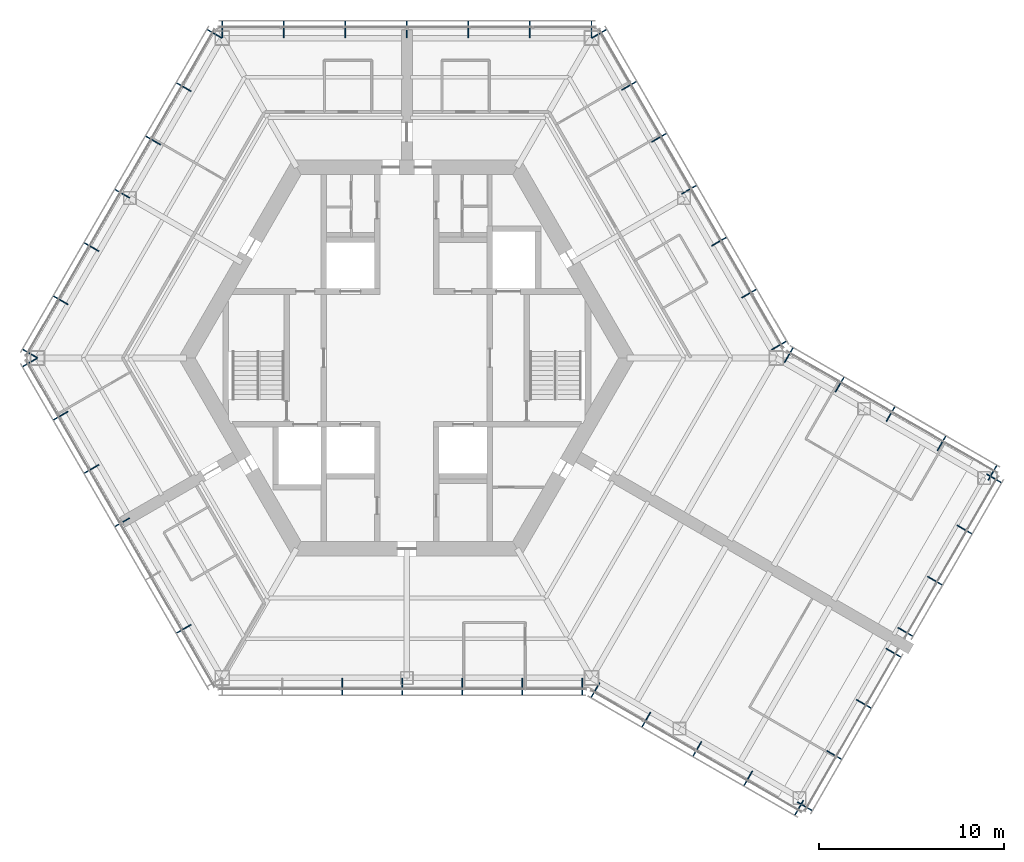
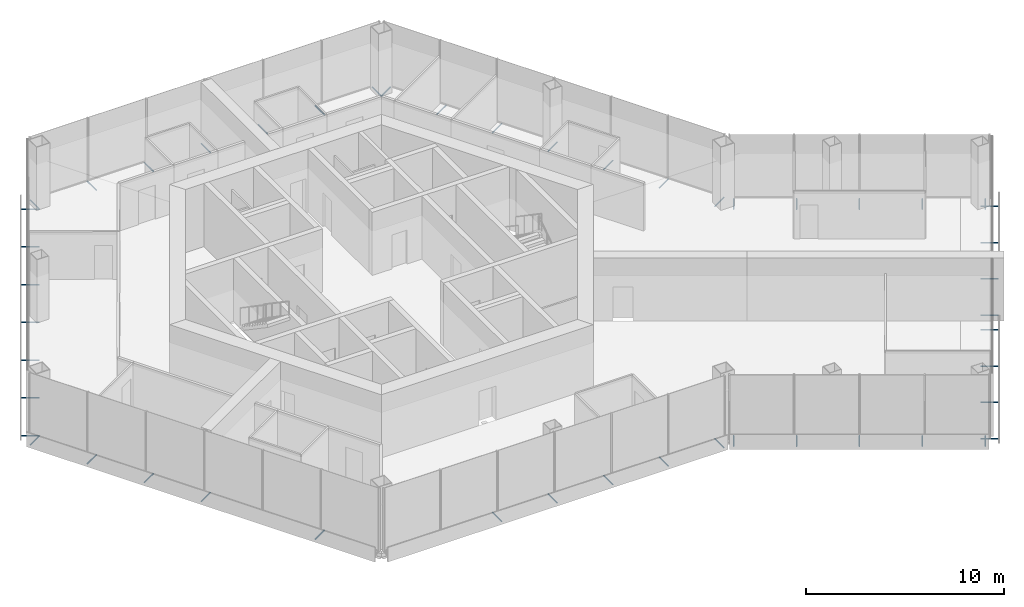
# One storey, part 14 of 15: 49 discrete accessories.
"""IFC4 building model written with IfcOpenShell, lengths in metres."""

import ifcopenshell
import ifcopenshell.guid

model = None  # the IFC model being written
_history = None  # IfcOwnerHistory: only IFC2X3 demands one
_inside = {}  # id of a spatial element -> (the spatial element, [elements in it])
_under = {}  # id of a project, library or spatial element -> (it, [spatial elements below it])
_declared = {}  # id of a project -> (the project, [libraries it declares])
_typed = {}  # id of a type object -> (the type object, [elements of that type])
_made_of = {}  # id of a material, layer set ... -> (it, [elements and type objects made of it])


def new_model(schema):
    """Start an empty IFC model of exactly this schema.

    Asked for "IFC4X3", IfcOpenShell would pick the latest addendum, in which some entities
    have other attributes; the version numbers below select the first issue.
    IFC2X3 requires an IfcOwnerHistory on every rooted entity: one is made here for all.
    """
    global model, _history
    if schema == "IFC4X3":
        model = ifcopenshell.file(schema_version=(4, 3, 0, 0))
    else:
        model = ifcopenshell.file(schema=schema)
    _inside.clear()
    _under.clear()
    _declared.clear()
    _typed.clear()
    _made_of.clear()
    _history = None
    if model.schema == "IFC2X3":
        org = make("IfcOrganization", Name="unknown")
        user = make(
            "IfcPersonAndOrganization",
            ThePerson=make("IfcPerson", FamilyName="unknown"),
            TheOrganization=org,
        )
        app = make(
            "IfcApplication",
            ApplicationDeveloper=org,
            Version="unknown",
            ApplicationFullName="unknown",
            ApplicationIdentifier="unknown",
        )
        _history = make(
            "IfcOwnerHistory",
            OwningUser=user,
            OwningApplication=app,
            ChangeAction="ADDED",
            CreationDate=0,
        )
    return model


def make(cls, **values):
    """One entity of the class cls with the attributes given. An attribute that is None is left unset."""
    return model.create_entity(
        cls, **{name: value for name, value in values.items() if value is not None}
    )


def rooted(cls, **values):
    """An entity with a GlobalId (a new one), such as an element, a storey or a relation."""
    return make(cls, GlobalId=ifcopenshell.guid.new(), OwnerHistory=_history, **values)


def si_unit(unit_type, name, prefix=None):
    """IfcSIUnit, for example si_unit("LENGTHUNIT", "METRE", prefix="MILLI")."""
    return make("IfcSIUnit", UnitType=unit_type, Prefix=prefix, Name=name)


def assignment(units):
    """IfcUnitAssignment: the units of a project."""
    return None if units is None else make("IfcUnitAssignment", Units=units)


def point(xyz):
    """IfcCartesianPoint."""
    return None if xyz is None else make("IfcCartesianPoint", Coordinates=xyz)


def direction(xyz):
    """IfcDirection."""
    return None if xyz is None else make("IfcDirection", DirectionRatios=xyz)


def frame(location, z_axis=None, x_axis=None):
    """IfcAxis2Placement3D, a coordinate frame: its origin and axes. An axis left out is left unset."""
    return make(
        "IfcAxis2Placement3D",
        Location=point(location),
        Axis=direction(z_axis),
        RefDirection=direction(x_axis),
    )


def frame_2d(location, x_axis=None):
    """IfcAxis2Placement2D, a coordinate frame in the plane: its origin and x axis."""
    return make(
        "IfcAxis2Placement2D", Location=point(location), RefDirection=direction(x_axis)
    )


def origin():
    """The frame at (0, 0, 0) with its axes left unset."""
    return frame((0.0, 0.0, 0.0))


def origin_2d():
    """The frame at (0, 0) in the plane with its x axis left unset."""
    return frame_2d((0.0, 0.0))


def place(relative_to, where):
    """IfcLocalPlacement: puts the frame where relative to a parent placement (None: the world)."""
    return make(
        "IfcLocalPlacement", PlacementRelTo=relative_to, RelativePlacement=where
    )


def context(
    kind, dimensions, precision=None, world=None, true_north=None, identifier=None
):
    """IfcGeometricRepresentationContext, for example the 3D "Model" context."""
    return make(
        "IfcGeometricRepresentationContext",
        ContextIdentifier=identifier,
        ContextType=kind,
        CoordinateSpaceDimension=dimensions,
        Precision=precision,
        WorldCoordinateSystem=world,
        TrueNorth=true_north,
    )


def subcontext(parent, identifier, kind, view, scale=None):
    """IfcGeometricRepresentationSubContext, for example "Body" below "Model"."""
    return make(
        "IfcGeometricRepresentationSubContext",
        ContextIdentifier=identifier,
        ContextType=kind,
        ParentContext=parent,
        TargetScale=scale,
        TargetView=view,
    )


def project(units=None, contexts=None):
    """IfcProject with its units and contexts."""
    return rooted(
        "IfcProject",
        Name="project",
        RepresentationContexts=contexts,
        UnitsInContext=assignment(units),
    )


def spatial(cls, under=None, at=None, **own):
    """A site, building, storey or space (cls), placed at a placement, below another one or the project."""
    s = rooted(cls, ObjectPlacement=at, **own)
    if under is not None:
        _under.setdefault(under.id(), (under, []))[1].append(s)
    return s


def profile(cls, at=None, kind="AREA", **sizes):
    """A parametric profile (cls). Its sizes go by their IFC names, for example OverallWidth=200.0."""
    return make(cls, ProfileType=kind, Position=at, **sizes)


def hollow_circle(**sizes):
    """IfcCircleHollowProfileDef."""
    return profile("IfcCircleHollowProfileDef", **sizes)


def extrude(swept, where, along, depth):
    """IfcExtrudedAreaSolid: the profile swept, set in the frame where, extruded along a direction by depth."""
    return make(
        "IfcExtrudedAreaSolid",
        SweptArea=swept,
        Position=where,
        ExtrudedDirection=direction(along),
        Depth=depth,
    )


def shape(context_of_items, identifier, shape_type, items):
    """IfcShapeRepresentation: the items that make up one representation, for example the "Body"."""
    return make(
        "IfcShapeRepresentation",
        ContextOfItems=context_of_items,
        RepresentationIdentifier=identifier,
        RepresentationType=shape_type,
        Items=items,
    )


def material(Name=None, Category=None):
    """IfcMaterial."""
    return make("IfcMaterial", Name=Name, Category=Category)


def material_profile(
    of_material, cross_section, Name=None, Category=None, Priority=None
):
    """IfcMaterialProfile: a cross section and its material."""
    return make(
        "IfcMaterialProfile",
        Name=Name,
        Material=of_material,
        Profile=cross_section,
        Priority=Priority,
        Category=Category,
    )


def profile_set(profiles, Name=None, composite=None):
    """IfcMaterialProfileSet."""
    return make(
        "IfcMaterialProfileSet",
        Name=Name,
        MaterialProfiles=profiles,
        CompositeProfile=composite,
    )


def made_of(thing, what):
    """Note that an element or type object is made of a material, layer set ...; save() writes the relation."""
    if what is not None:
        _made_of.setdefault(what.id(), (what, []))[1].append(thing)
    return thing


def type_object(cls, material=None, **own):
    """A type object (cls), such as IfcWallType, which elements share."""
    return made_of(rooted(cls, **own), material)


def element(
    cls,
    number,
    at=None,
    inside=None,
    cuts=None,
    type_object=None,
    material=None,
    context=None,
    identifier="Body",
    shape_type=None,
    held_by="IfcProductDefinitionShape",
    body=None,
    shapes=None,
    **own,
):
    """One element of the class cls, such as IfcWall. Its Tag is "e" and its number.

    at: its placement. inside: the storey or other place that contains it. cuts: it is an
    opening in that element (IfcRelVoidsElement). A single representation is given by context,
    identifier, shape_type and body (its items); several are given by shapes. held_by: the class
    of the entity that holds the representations. save() writes the other relations.
    """
    e = rooted(cls, Tag="e%d" % number, ObjectPlacement=at, **own)
    if body is not None:
        shapes = [shape(context, identifier, shape_type, body)]
    if shapes is not None:
        e.Representation = make(held_by, Representations=shapes)
    if inside is not None:
        _inside.setdefault(inside.id(), (inside, []))[1].append(e)
    if cuts is not None:
        rooted(
            "IfcRelVoidsElement", RelatingBuildingElement=cuts, RelatedOpeningElement=e
        )
    if type_object is not None:
        _typed.setdefault(type_object.id(), (type_object, []))[1].append(e)
    return made_of(e, material)


def aggregate(whole, parts):
    """IfcRelAggregates: a whole, such as a stair, and the parts it consists of."""
    return rooted("IfcRelAggregates", RelatingObject=whole, RelatedObjects=parts)


def save(model, path):
    """Write the relations noted so far, then the file.

    IfcRelAggregates (storeys below a building ...), IfcRelContainedInSpatialStructure (elements
    in a storey), IfcRelDefinesByType, IfcRelAssociatesMaterial and IfcRelDeclares: one each for
    every whole, place, type object, material and project.
    """
    for whole, parts in _under.values():
        aggregate(whole, parts)
    for where, things in _inside.values():
        rooted(
            "IfcRelContainedInSpatialStructure",
            RelatedElements=things,
            RelatingStructure=where,
        )
    for kind, things in _typed.values():
        rooted("IfcRelDefinesByType", RelatedObjects=things, RelatingType=kind)
    for what, things in _made_of.values():
        rooted("IfcRelAssociatesMaterial", RelatedObjects=things, RelatingMaterial=what)
    for by, libraries in _declared.values():
        rooted("IfcRelDeclares", RelatingContext=by, RelatedDefinitions=libraries)
    model.write(path)


model = new_model("IFC4")

# Units and contexts
model_context = context("Model", 3, precision=1e-05, world=origin(), true_north=direction((0.0, 1.0)))
body_context = subcontext(model_context, "Body", "Model", "MODEL_VIEW")
ifc_project = project(units=[si_unit("LENGTHUNIT", "METRE"), si_unit("AREAUNIT", "SQUARE_METRE"), si_unit("VOLUMEUNIT", "CUBIC_METRE"), si_unit("PLANEANGLEUNIT", "RADIAN"), si_unit("MASSUNIT", "GRAM", prefix="KILO")], contexts=[model_context])

# Site, building, storey
site_placement = place(None, origin())
site = spatial("IfcSite", under=ifc_project, at=site_placement, CompositionType="ELEMENT")
building_placement = place(site_placement, origin())
building = spatial("IfcBuilding", under=site, at=building_placement, Name="Kasaneha Research Tower", CompositionType="ELEMENT")
storey_placement = place(building_placement, frame((0.0, 0.0, 236.199951171875)))
storey = spatial("IfcBuildingStorey", under=building, at=storey_placement, Name="L59", CompositionType="ELEMENT", Elevation=236.199951171875)

# Discrete accessories
ifc_material = material(Name="Steel STK400", Category="steel")
ifc_material_profile = material_profile(ifc_material, hollow_circle(Radius=0.0380859375, WallThickness=0.00390625, at=origin_2d()), Name="CHS-76.3x4.0")
ifc_profile_set = profile_set([ifc_material_profile], Name="Steel STK400")
discrete_accessory_type = type_object("IfcDiscreteAccessoryType", Name="Screen bracket CHS-76.3x4.0", PredefinedType="BRACKET", material=ifc_profile_set)
for number, where, z_axis, x_axis, name in (
    (1, (19.74462890625, 0.4423828125, -0.300048828125), (0.866013213425, 0.500021113727, 0.0), (-0.500021113727, 0.866013213425, 0.0), "Screen bracket 1"),
    (2, (18.120849609375, 3.2548828125, -0.300048828125), (0.866013213425, 0.500021113727, 0.0), (-0.500021113727, 0.866013213425, 0.0), "Screen bracket 2"),
    (3, (16.4970703125, 6.0673828125, -0.300048828125), (0.866013213425, 0.500021113727, 0.0), (-0.500021113727, 0.866013213425, 0.0), "Screen bracket 3"),
    (4, (14.873291015625, 8.8798828125, -0.300048828125), (0.866013213425, 0.500021113727, 0.0), (-0.500021113727, 0.866013213425, 0.0), "Screen bracket 4"),
    (5, (13.24951171875, 11.6923828125, -0.300048828125), (0.866013213425, 0.500021113727, 0.0), (-0.500021113727, 0.866013213425, 0.0), "Screen bracket 5"),
):
    element("IfcDiscreteAccessory", number, at=place(storey_placement, frame(where, z_axis=z_axis, x_axis=x_axis)), inside=storey, type_object=discrete_accessory_type, Name=name, PredefinedType="BRACKET", context=body_context, shape_type="SweptSolid", body=[
        extrude(hollow_circle(Radius=0.0380859375, WallThickness=0.00390625, at=origin_2d()), origin(), (0.0, 0.0, 1.0), 0.919921875),
    ])
for number, where, z_axis, x_axis, name in (
    (6, (11.62548828125, 14.5048828125, -0.300048828125), (0.866079547155, 0.499906209203, 0.0), (-0.499906209203, 0.866079547155, 0.0), "Screen bracket 6"),
    (7, (10.001708984375, 17.3173828125, -0.300048828125), (0.866079547155, 0.499906209203, 0.0), (-0.499906209203, 0.866079547155, 0.0), "Screen bracket 7"),
):
    element("IfcDiscreteAccessory", number, at=place(storey_placement, frame(where, z_axis=z_axis, x_axis=x_axis)), inside=storey, type_object=discrete_accessory_type, Name=name, PredefinedType="BRACKET", context=body_context, shape_type="SweptSolid", body=[
        extrude(hollow_circle(Radius=0.0380859375, WallThickness=0.00390625, at=origin_2d()), origin(), (0.0, 0.0, 1.0), 0.920166015625),
    ])
for number, where, z_axis, x_axis, name in (
    (8, (9.996337890625, 17.320556640625, -0.300048828125), (0.0, 1.0, 0.0), (-1.0, 0.0, 0.0), "Screen bracket 1"),
    (9, (6.664306640625, 17.320556640625, -0.300048828125), (0.0, 1.0, 0.0), (-1.0, 0.0, 0.0), "Screen bracket 2"),
    (10, (3.33203125, 17.320556640625, -0.300048828125), (0.0, 1.0, 0.0), (-1.0, 0.0, 0.0), "Screen bracket 3"),
    (11, (0.0, 17.320556640625, -0.300048828125), (0.0, 1.0, 0.0), (-1.0, 0.0, 0.0), "Screen bracket 4"),
    (12, (-3.33203125, 17.320556640625, -0.300048828125), (0.0, 1.0, 0.0), (-1.0, 0.0, 0.0), "Screen bracket 5"),
    (13, (-6.664306640625, 17.320556640625, -0.300048828125), (0.0, 1.0, 0.0), (-1.0, 0.0, 0.0), "Screen bracket 6"),
    (14, (-9.996337890625, 17.320556640625, -0.300048828125), (0.0, 1.0, 0.0), (-1.0, 0.0, 0.0), "Screen bracket 7"),
):
    element("IfcDiscreteAccessory", number, at=place(storey_placement, frame(where, z_axis=z_axis, x_axis=x_axis)), inside=storey, type_object=discrete_accessory_type, Name=name, PredefinedType="BRACKET", context=body_context, shape_type="SweptSolid", body=[
        extrude(hollow_circle(Radius=0.0380859375, WallThickness=0.00390625, at=origin_2d()), origin(), (0.0, 0.0, 1.0), 0.919921875),
    ])
discrete_accessory_1_placement = place(storey_placement, frame((-10.001708984375, 17.3173828125, -0.300048828125), z_axis=(-0.866079547155, 0.499906209203, 0.0), x_axis=(-0.499906209203, -0.866079547155, 0.0)))
element("IfcDiscreteAccessory", 15, at=discrete_accessory_1_placement, inside=storey, type_object=discrete_accessory_type, Name="Screen bracket 1", PredefinedType="BRACKET", context=body_context, shape_type="SweptSolid", body=[
    extrude(hollow_circle(Radius=0.0380859375, WallThickness=0.00390625, at=origin_2d()), origin(), (0.0, 0.0, 1.0), 0.920166015625),
])
for number, where, z_axis, x_axis, name in (
    (16, (-11.66796875, 14.431640625, -0.300048828125), (-0.866013213425, 0.500021113727, 0.0), (-0.500021113727, -0.866013213425, 0.0), "Screen bracket 2"),
    (17, (-13.333984375, 11.5458984375, -0.300048828125), (-0.866013213425, 0.500021113727, 0.0), (-0.500021113727, -0.866013213425, 0.0), "Screen bracket 3"),
    (18, (-15.0, 8.66015625, -0.300048828125), (-0.865898279276, 0.500220121494, 0.0), (-0.500220121494, -0.865898279276, 0.0), "Screen bracket 4"),
):
    element("IfcDiscreteAccessory", number, at=place(storey_placement, frame(where, z_axis=z_axis, x_axis=x_axis)), inside=storey, type_object=discrete_accessory_type, Name=name, PredefinedType="BRACKET", context=body_context, shape_type="SweptSolid", body=[
        extrude(hollow_circle(Radius=0.0380859375, WallThickness=0.00390625, at=origin_2d()), origin(), (0.0, 0.0, 1.0), 0.919921875),
    ])
for number, where, z_axis, x_axis, name in (
    (19, (-16.666015625, 5.774658203125, -0.300048828125), (-0.866079547155, 0.499906209203, 0.0), (-0.499906209203, -0.866079547155, 0.0), "Screen bracket 5"),
    (20, (-18.33203125, 2.888916015625, -0.300048828125), (-0.866079547155, 0.499906209203, 0.0), (-0.499906209203, -0.866079547155, 0.0), "Screen bracket 6"),
):
    element("IfcDiscreteAccessory", number, at=place(storey_placement, frame(where, z_axis=z_axis, x_axis=x_axis)), inside=storey, type_object=discrete_accessory_type, Name=name, PredefinedType="BRACKET", context=body_context, shape_type="SweptSolid", body=[
        extrude(hollow_circle(Radius=0.0380859375, WallThickness=0.00390625, at=origin_2d()), origin(), (0.0, 0.0, 1.0), 0.920166015625),
    ])
for number, where, z_axis, x_axis, name in (
    (21, (-19.998291015625, 0.003173828125, -0.300048828125), (-0.866013213425, 0.500021113727, 0.0), (-0.500021113727, -0.866013213425, 0.0), "Screen bracket 7"),
    (22, (-19.998291015625, -0.003173828125, -0.300048828125), (-0.866013213425, -0.500021113727, 0.0), (0.500021113727, -0.866013213425, 0.0), "Screen bracket 1"),
):
    element("IfcDiscreteAccessory", number, at=place(storey_placement, frame(where, z_axis=z_axis, x_axis=x_axis)), inside=storey, type_object=discrete_accessory_type, Name=name, PredefinedType="BRACKET", context=body_context, shape_type="SweptSolid", body=[
        extrude(hollow_circle(Radius=0.0380859375, WallThickness=0.00390625, at=origin_2d()), origin(), (0.0, 0.0, 1.0), 0.919921875),
    ])
for number, where, z_axis, x_axis, name in (
    (23, (-18.33203125, -2.888916015625, -0.300048828125), (-0.866079547155, -0.499906209203, 0.0), (0.499906209203, -0.866079547155, 0.0), "Screen bracket 2"),
    (24, (-16.666015625, -5.774658203125, -0.300048828125), (-0.866079547155, -0.499906209203, 0.0), (0.499906209203, -0.866079547155, 0.0), "Screen bracket 3"),
):
    element("IfcDiscreteAccessory", number, at=place(storey_placement, frame(where, z_axis=z_axis, x_axis=x_axis)), inside=storey, type_object=discrete_accessory_type, Name=name, PredefinedType="BRACKET", context=body_context, shape_type="SweptSolid", body=[
        extrude(hollow_circle(Radius=0.0380859375, WallThickness=0.00390625, at=origin_2d()), origin(), (0.0, 0.0, 1.0), 0.920166015625),
    ])
for number, where, z_axis, x_axis, name in (
    (25, (-15.0, -8.66015625, -0.300048828125), (-0.865898279276, -0.500220121494, 0.0), (0.500220121494, -0.865898279276, 0.0), "Screen bracket 4"),
    (26, (-11.66796875, -14.431640625, -0.300048828125), (-0.866013213425, -0.500021113727, 0.0), (0.500021113727, -0.866013213425, 0.0), "Screen bracket 6"),
    (27, (-3.501220703125, -17.320556640625, -0.300048828125), (0.0, -1.0, 0.0), (1.0, 0.0, 0.0), "Screen bracket 3"),
    (28, (-0.253662109375, -17.320556640625, -0.300048828125), (0.0, -1.0, 0.0), (1.0, 0.0, 0.0), "Screen bracket 4"),
    (29, (2.993896484375, -17.320556640625, -0.300048828125), (0.0, -1.0, 0.0), (1.0, 0.0, 0.0), "Screen bracket 5"),
    (30, (6.24169921875, -17.320556640625, -0.300048828125), (0.0, -1.0, 0.0), (1.0, 0.0, 0.0), "Screen bracket 6"),
    (31, (9.4892578125, -17.320556640625, -0.300048828125), (0.0, -1.0, 0.0), (1.0, 0.0, 0.0), "Screen bracket 7"),
    (32, (10.4423828125, -17.575927734375, -0.300048828125), (-0.500021113727, -0.866013213425, 0.0), (0.866013213425, -0.500021113727, 0.0), "Screen bracket 1"),
):
    element("IfcDiscreteAccessory", number, at=place(storey_placement, frame(where, z_axis=z_axis, x_axis=x_axis)), inside=storey, type_object=discrete_accessory_type, Name=name, PredefinedType="BRACKET", context=body_context, shape_type="SweptSolid", body=[
        extrude(hollow_circle(Radius=0.0380859375, WallThickness=0.00390625, at=origin_2d()), origin(), (0.0, 0.0, 1.0), 0.919921875),
    ])
discrete_accessory_2_placement = place(storey_placement, frame((13.200439453125, -19.168212890625, -0.300048828125), z_axis=(-0.499906209203, -0.866079547155, 0.0), x_axis=(0.866079547155, -0.499906209203, 0.0)))
element("IfcDiscreteAccessory", 33, at=discrete_accessory_2_placement, inside=storey, type_object=discrete_accessory_type, Name="Screen bracket 2", PredefinedType="BRACKET", context=body_context, shape_type="SweptSolid", body=[
    extrude(hollow_circle(Radius=0.0380859375, WallThickness=0.00390625, at=origin_2d()), origin(), (0.0, 0.0, 1.0), 0.920166015625),
])
discrete_accessory_3_placement = place(storey_placement, frame((15.95849609375, -20.7607421875, -0.300048828125), z_axis=(-0.500021113727, -0.866013213425, 0.0), x_axis=(0.866013213425, -0.500021113727, 0.0)))
element("IfcDiscreteAccessory", 34, at=discrete_accessory_3_placement, inside=storey, type_object=discrete_accessory_type, Name="Screen bracket 3", PredefinedType="BRACKET", context=body_context, shape_type="SweptSolid", body=[
    extrude(hollow_circle(Radius=0.0380859375, WallThickness=0.00390625, at=origin_2d()), origin(), (0.0, 0.0, 1.0), 0.919921875),
])
discrete_accessory_4_placement = place(storey_placement, frame((18.716796875, -22.35302734375, -0.300048828125), z_axis=(-0.500105201737, -0.865964657013, 0.0), x_axis=(0.865964657013, -0.500105201737, 0.0)))
element("IfcDiscreteAccessory", 35, at=discrete_accessory_4_placement, inside=storey, type_object=discrete_accessory_type, Name="Screen bracket 4", PredefinedType="BRACKET", context=body_context, shape_type="SweptSolid", body=[
    extrude(hollow_circle(Radius=0.0380859375, WallThickness=0.00390625, at=origin_2d()), origin(), (0.0, 0.0, 1.0), 0.920166015625),
])
discrete_accessory_5_placement = place(storey_placement, frame((21.474853515625, -23.945556640625, -0.300048828125), z_axis=(-0.500021113727, -0.866013213425, 0.0), x_axis=(0.866013213425, -0.500021113727, 0.0)))
element("IfcDiscreteAccessory", 36, at=discrete_accessory_5_placement, inside=storey, type_object=discrete_accessory_type, Name="Screen bracket 5", PredefinedType="BRACKET", context=body_context, shape_type="SweptSolid", body=[
    extrude(hollow_circle(Radius=0.0380859375, WallThickness=0.00390625, at=origin_2d()), origin(), (0.0, 0.0, 1.0), 0.919921875),
])
discrete_accessory_6_placement = place(storey_placement, frame((21.13330078125, -24.037109375, -0.300048828125), z_axis=(0.866079547155, -0.499906209203, 0.0), x_axis=(0.499906209203, 0.866079547155, 0.0)))
element("IfcDiscreteAccessory", 37, at=discrete_accessory_6_placement, inside=storey, type_object=discrete_accessory_type, Name="Screen bracket 1", PredefinedType="BRACKET", context=body_context, shape_type="SweptSolid", body=[
    extrude(hollow_circle(Radius=0.0380859375, WallThickness=0.00390625, at=origin_2d()), origin(), (0.0, 0.0, 1.0), 0.920166015625),
])
discrete_accessory_7_placement = place(storey_placement, frame((22.7333984375, -21.265625, -0.300048828125), z_axis=(0.865898279276, -0.500220121494, 0.0), x_axis=(0.500220121494, 0.865898279276, 0.0)))
element("IfcDiscreteAccessory", 38, at=discrete_accessory_7_placement, inside=storey, type_object=discrete_accessory_type, Name="Screen bracket 2", PredefinedType="BRACKET", context=body_context, shape_type="SweptSolid", body=[
    extrude(hollow_circle(Radius=0.0380859375, WallThickness=0.00390625, at=origin_2d()), origin(), (0.0, 0.0, 1.0), 0.919921875),
])
discrete_accessory_8_placement = place(storey_placement, frame((24.333251953125, -18.494384765625, -0.300048828125), z_axis=(0.866079547155, -0.499906209203, 0.0), x_axis=(0.499906209203, 0.866079547155, 0.0)))
element("IfcDiscreteAccessory", 39, at=discrete_accessory_8_placement, inside=storey, type_object=discrete_accessory_type, Name="Screen bracket 3", PredefinedType="BRACKET", context=body_context, shape_type="SweptSolid", body=[
    extrude(hollow_circle(Radius=0.0380859375, WallThickness=0.00390625, at=origin_2d()), origin(), (0.0, 0.0, 1.0), 0.920166015625),
])
discrete_accessory_9_placement = place(storey_placement, frame((25.933349609375, -15.72314453125, -0.300048828125), z_axis=(0.866013213425, -0.500021113727, 0.0), x_axis=(0.500021113727, 0.866013213425, 0.0)))
element("IfcDiscreteAccessory", 40, at=discrete_accessory_9_placement, inside=storey, type_object=discrete_accessory_type, Name="Screen bracket 4", PredefinedType="BRACKET", context=body_context, shape_type="SweptSolid", body=[
    extrude(hollow_circle(Radius=0.0380859375, WallThickness=0.00390625, at=origin_2d()), origin(), (0.0, 0.0, 1.0), 0.919921875),
])
discrete_accessory_10_placement = place(storey_placement, frame((26.583251953125, -14.597412109375, -0.300048828125), z_axis=(0.866079547155, -0.499906209203, 0.0), x_axis=(0.499906209203, 0.866079547155, 0.0)))
element("IfcDiscreteAccessory", 41, at=discrete_accessory_10_placement, inside=storey, type_object=discrete_accessory_type, Name="Screen bracket 1", PredefinedType="BRACKET", context=body_context, shape_type="SweptSolid", body=[
    extrude(hollow_circle(Radius=0.0380859375, WallThickness=0.00390625, at=origin_2d()), origin(), (0.0, 0.0, 1.0), 0.920166015625),
])
for number, where, z_axis, x_axis, name in (
    (42, (28.183349609375, -11.826171875, -0.300048828125), (0.866013213425, -0.500021113727, 0.0), (0.500021113727, 0.866013213425, 0.0), "Screen bracket 2"),
    (43, (29.783447265625, -9.0546875, -0.300048828125), (0.865898279276, -0.500220121494, 0.0), (0.500220121494, 0.865898279276, 0.0), "Screen bracket 3"),
):
    element("IfcDiscreteAccessory", number, at=place(storey_placement, frame(where, z_axis=z_axis, x_axis=x_axis)), inside=storey, type_object=discrete_accessory_type, Name=name, PredefinedType="BRACKET", context=body_context, shape_type="SweptSolid", body=[
        extrude(hollow_circle(Radius=0.0380859375, WallThickness=0.00390625, at=origin_2d()), origin(), (0.0, 0.0, 1.0), 0.919921875),
    ])
discrete_accessory_11_placement = place(storey_placement, frame((31.38330078125, -6.283447265625, -0.300048828125), z_axis=(0.866079547155, -0.499906209203, 0.0), x_axis=(0.499906209203, 0.866079547155, 0.0)))
element("IfcDiscreteAccessory", 44, at=discrete_accessory_11_placement, inside=storey, type_object=discrete_accessory_type, Name="Screen bracket 4", PredefinedType="BRACKET", context=body_context, shape_type="SweptSolid", body=[
    extrude(hollow_circle(Radius=0.0380859375, WallThickness=0.00390625, at=origin_2d()), origin(), (0.0, 0.0, 1.0), 0.920166015625),
])
discrete_accessory_12_placement = place(storey_placement, frame((31.474853515625, -6.625, -0.300048828125), z_axis=(0.500021113727, 0.866013213425, 0.0), x_axis=(-0.866013213425, 0.500021113727, 0.0)))
element("IfcDiscreteAccessory", 45, at=discrete_accessory_12_placement, inside=storey, type_object=discrete_accessory_type, Name="Screen bracket 1", PredefinedType="BRACKET", context=body_context, shape_type="SweptSolid", body=[
    extrude(hollow_circle(Radius=0.0380859375, WallThickness=0.00390625, at=origin_2d()), origin(), (0.0, 0.0, 1.0), 0.919921875),
])
discrete_accessory_13_placement = place(storey_placement, frame((28.716796875, -5.03271484375, -0.300048828125), z_axis=(0.499906209203, 0.866079547155, 0.0), x_axis=(-0.866079547155, 0.499906209203, 0.0)))
element("IfcDiscreteAccessory", 46, at=discrete_accessory_13_placement, inside=storey, type_object=discrete_accessory_type, Name="Screen bracket 2", PredefinedType="BRACKET", context=body_context, shape_type="SweptSolid", body=[
    extrude(hollow_circle(Radius=0.0380859375, WallThickness=0.00390625, at=origin_2d()), origin(), (0.0, 0.0, 1.0), 0.920166015625),
])
discrete_accessory_14_placement = place(storey_placement, frame((25.95849609375, -3.440185546875, -0.300048828125), z_axis=(0.500220121494, 0.865898279276, 0.0), x_axis=(-0.865898279276, 0.500220121494, 0.0)))
element("IfcDiscreteAccessory", 47, at=discrete_accessory_14_placement, inside=storey, type_object=discrete_accessory_type, Name="Screen bracket 3", PredefinedType="BRACKET", context=body_context, shape_type="SweptSolid", body=[
    extrude(hollow_circle(Radius=0.0380859375, WallThickness=0.00390625, at=origin_2d()), origin(), (0.0, 0.0, 1.0), 0.919921875),
])
discrete_accessory_15_placement = place(storey_placement, frame((23.200439453125, -1.847900390625, -0.300048828125), z_axis=(0.499906209203, 0.866079547155, 0.0), x_axis=(-0.866079547155, 0.499906209203, 0.0)))
element("IfcDiscreteAccessory", 48, at=discrete_accessory_15_placement, inside=storey, type_object=discrete_accessory_type, Name="Screen bracket 4", PredefinedType="BRACKET", context=body_context, shape_type="SweptSolid", body=[
    extrude(hollow_circle(Radius=0.0380859375, WallThickness=0.00390625, at=origin_2d()), origin(), (0.0, 0.0, 1.0), 0.920166015625),
])
discrete_accessory_16_placement = place(storey_placement, frame((20.4423828125, -0.25537109375, -0.300048828125), z_axis=(0.500021113727, 0.866013213425, 0.0), x_axis=(-0.866013213425, 0.500021113727, 0.0)))
element("IfcDiscreteAccessory", 49, at=discrete_accessory_16_placement, inside=storey, type_object=discrete_accessory_type, Name="Screen bracket 5", PredefinedType="BRACKET", context=body_context, shape_type="SweptSolid", body=[
    extrude(hollow_circle(Radius=0.0380859375, WallThickness=0.00390625, at=origin_2d()), origin(), (0.0, 0.0, 1.0), 0.919921875),
])

save(model, "model.ifc")
